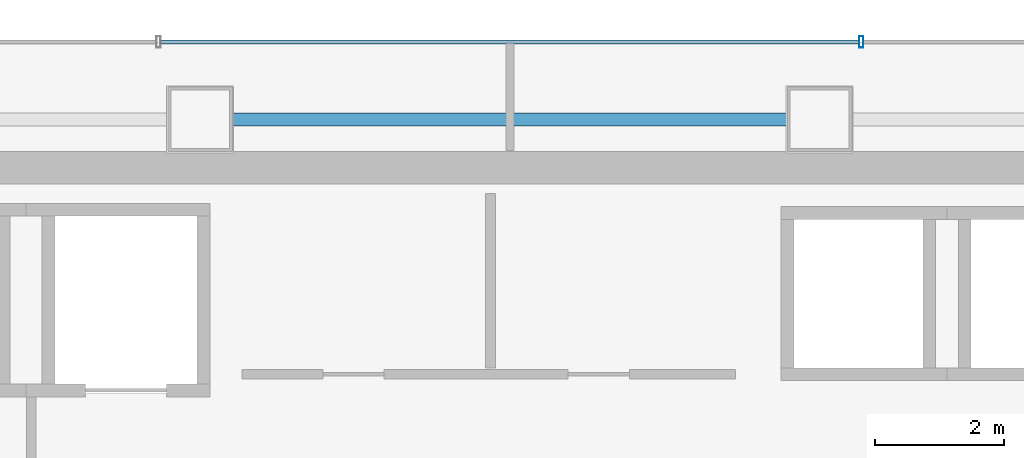
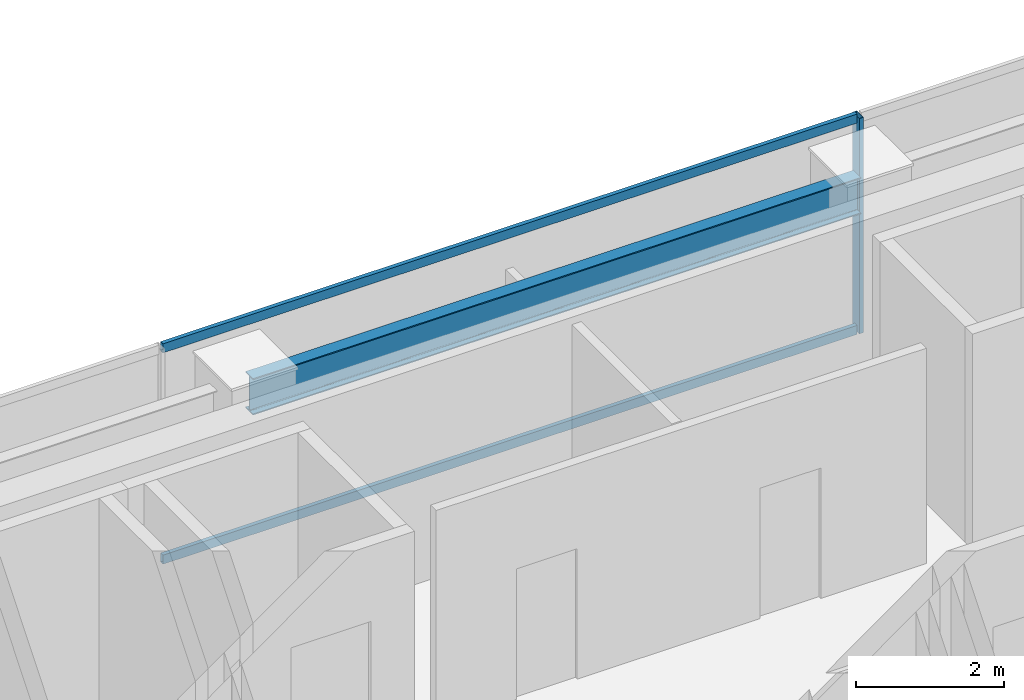
# One storey, part 24 of 35: 3 members, 1 beam, 1 element without a shape of its own.
"""IFC4 building model written with IfcOpenShell, lengths in metres."""

from ifc_helpers import new_model, si_unit, direction, frame, origin, origin_2d, place, context, subcontext, project, spatial, hollow_rectangle, i_section, extrude, material, material_profile, profile_set, type_object, element, aggregate, save


model = new_model("IFC4")

# Units and contexts
model_context = context("Model", 3, precision=1e-05, world=origin(), true_north=direction((0.0, 1.0)))
body_context = subcontext(model_context, "Body", "Model", "MODEL_VIEW")
ifc_project = project(units=[si_unit("LENGTHUNIT", "METRE"), si_unit("AREAUNIT", "SQUARE_METRE"), si_unit("VOLUMEUNIT", "CUBIC_METRE"), si_unit("PLANEANGLEUNIT", "RADIAN"), si_unit("MASSUNIT", "GRAM", prefix="KILO")], contexts=[model_context])

# Site, building, storey
site_placement = place(None, origin())
site = spatial("IfcSite", under=ifc_project, at=site_placement, CompositionType="ELEMENT")
building_placement = place(site_placement, origin())
building = spatial("IfcBuilding", under=site, at=building_placement, Name="Saevonmaru Cultural Tower", CompositionType="ELEMENT")
storey_placement = place(building_placement, frame((0.0, 0.0, 179.0)))
storey = spatial("IfcBuildingStorey", under=building, at=storey_placement, Name="L40", CompositionType="ELEMENT", Elevation=179.0)

# Beam
ifc_material_1 = material(Name="Steel SM355", Category="steel")
ifc_material_profile_1 = material_profile(ifc_material_1, i_section(OverallWidth=0.199951171875, OverallDepth=0.60009765625, WebThickness=0.010986328125, FlangeThickness=0.01708984375, FilletRadius=0.02197265625, at=origin_2d()), Name="H-600x200x11x17")
ifc_profile_set_1 = profile_set([ifc_material_profile_1], Name="Steel SM355")
beam_type = type_object("IfcBeamType", Name="BM-SP-H600", PredefinedType="SPANDREL", material=ifc_profile_set_1)
beam_placement = place(storey_placement, frame((25.260009765625, 54.800048828125, 3.25), z_axis=(1.0, 0.0, 0.0), x_axis=(0.0, 1.0, 0.0)))
element("IfcBeam", 1, at=beam_placement, inside=storey, type_object=beam_type, Name="L40 North Spine Girder 3", PredefinedType="SPANDREL", context=body_context, shape_type="SweptSolid", body=[
    extrude(i_section(OverallWidth=0.199951171875, OverallDepth=0.60009765625, WebThickness=0.010986328125, FlangeThickness=0.01708984375, FilletRadius=0.02197265625, at=origin_2d()), origin(), (0.0, 0.0, 1.0), 9.47998046875),
])

# Curtain wall, members
ifc_material_2 = material(Name="Satin Bronze Anodised Aluminium", Category="aluminium")
curtain_wall_type = type_object("IfcCurtainWallType", Name="CW-TYP-B", PredefinedType="NOTDEFINED", material=ifc_material_2)
curtain_wall_placement = place(storey_placement, origin())
curtain_wall = element("IfcCurtainWall", 2, at=curtain_wall_placement, inside=storey, type_object=curtain_wall_type, Name="L40 North Spine Unitised Curtain Wall E10B", PredefinedType="NOTDEFINED")
ifc_material_profile_2 = material_profile(ifc_material_2, hollow_rectangle(XDim=0.06494140625, YDim=0.179931640625, WallThickness=0.00390625, at=origin_2d()), Name="ALU-MULL-180x65x4")
ifc_profile_set_2 = profile_set([ifc_material_profile_2], Name="Satin Bronze Anodised Aluminium")
member_type_1 = type_object("IfcMemberType", Name="ML-CW-180x65", PredefinedType="MULLION", material=ifc_profile_set_2)
member_1_placement = place(storey_placement, frame((35.44677734375, 56.0, 0.0), z_axis=(0.0, 0.0, 1.0), x_axis=(-1.0, 0.0, 0.0)))
member_1 = element("IfcMember", 3, at=member_1_placement, type_object=member_type_1, Name="CW-TW-L40-E10B mullion 2", PredefinedType="MULLION", context=body_context, shape_type="SweptSolid", body=[
    extrude(hollow_rectangle(XDim=0.06494140625, YDim=0.179931640625, WallThickness=0.00390625, at=origin_2d()), origin(), (0.0, 0.0, 1.0), 3.550048828125),
])
ifc_material_profile_3 = material_profile(ifc_material_2, hollow_rectangle(XDim=0.06494140625, YDim=0.14990234375, WallThickness=0.00390625, at=origin_2d()), Name="ALU-TRAN-150x65x4")
ifc_profile_set_3 = profile_set([ifc_material_profile_3], Name="Satin Bronze Anodised Aluminium")
member_type_2 = type_object("IfcMemberType", Name="TR-CW-150x65", PredefinedType="USERDEFINED", material=ifc_profile_set_3)
member_2_placement = place(storey_placement, frame((35.4140625, 56.0, 0.032470703125), z_axis=(-1.0, 0.0, 0.0), x_axis=(0.0, -1.0, 0.0)))
member_2 = element("IfcMember", 4, at=member_2_placement, type_object=member_type_2, Name="CW-TW-L40-E10B transom 2.1", ObjectType="TRANSOM", PredefinedType="USERDEFINED", context=body_context, shape_type="SweptSolid", body=[
    extrude(hollow_rectangle(XDim=0.06494140625, YDim=0.14990234375, WallThickness=0.00390625, at=origin_2d()), origin(), (0.0, 0.0, 1.0), 10.828125),
])
member_3_placement = place(storey_placement, frame((35.4140625, 56.0, 3.517578125), z_axis=(-1.0, 0.0, 0.0), x_axis=(0.0, -1.0, 0.0)))
member_3 = element("IfcMember", 5, at=member_3_placement, type_object=member_type_2, Name="CW-TW-L40-E10B transom 2.2", ObjectType="TRANSOM", PredefinedType="USERDEFINED", context=body_context, shape_type="SweptSolid", body=[
    extrude(hollow_rectangle(XDim=0.06494140625, YDim=0.14990234375, WallThickness=0.00390625, at=origin_2d()), origin(), (0.0, 0.0, 1.0), 10.828125),
])
aggregate(curtain_wall, [member_1, member_2, member_3])

save(model, "model.ifc")
